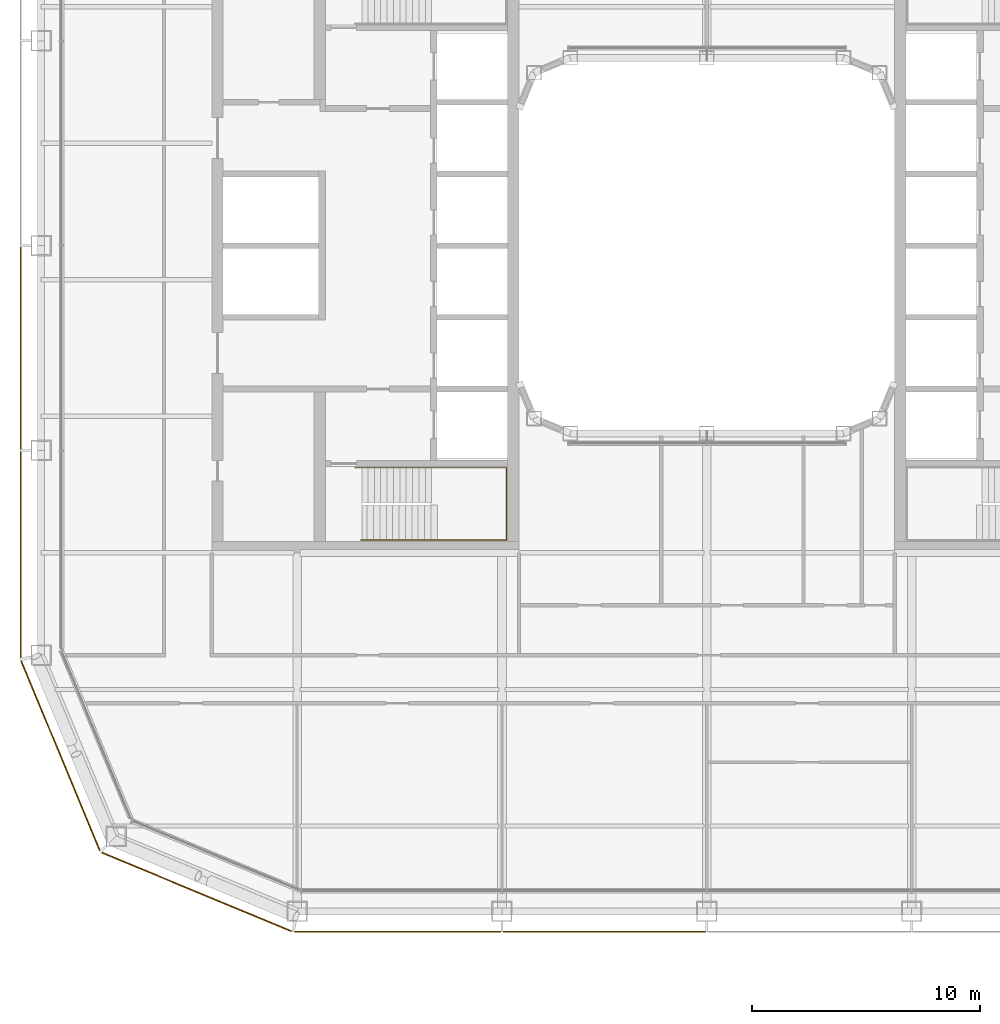
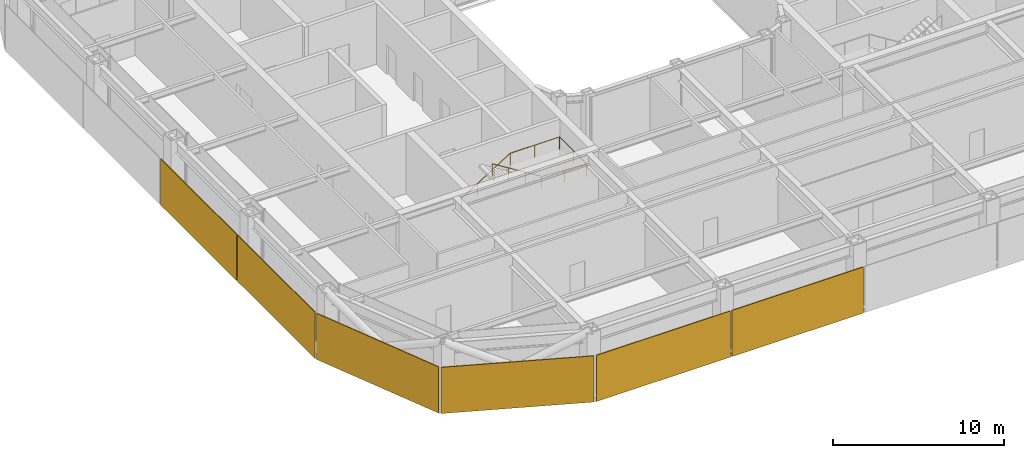
# One storey, part 18 of 23: 6 coverings, 1 railing.
"""IFC4 building model written with IfcOpenShell, lengths in metres."""

from ifc_helpers import new_model, si_unit, direction, frame, origin, origin_2d, place, context, subcontext, project, spatial, rectangle, circle, extrude, material, layer, layer_set, type_object, element, save


model = new_model("IFC4")

# Units and contexts
model_context = context("Model", 3, precision=1e-05, world=origin(), true_north=direction((0.0, 1.0)))
body_context = subcontext(model_context, "Body", "Model", "MODEL_VIEW")
ifc_project = project(units=[si_unit("LENGTHUNIT", "METRE"), si_unit("AREAUNIT", "SQUARE_METRE"), si_unit("VOLUMEUNIT", "CUBIC_METRE"), si_unit("PLANEANGLEUNIT", "RADIAN"), si_unit("MASSUNIT", "GRAM", prefix="KILO")], contexts=[model_context])

# Site, building, storey
site_placement = place(None, origin())
site = spatial("IfcSite", under=ifc_project, at=site_placement, CompositionType="ELEMENT")
building_placement = place(site_placement, origin())
building = spatial("IfcBuilding", under=site, at=building_placement, Name="Siwar Civic Tower", CompositionType="ELEMENT")
storey_placement = place(building_placement, frame((0.0, 0.0, 163.199951171875)))
storey = spatial("IfcBuildingStorey", under=building, at=storey_placement, Name="L35", CompositionType="ELEMENT", Elevation=163.199951171875)

# Railing
ifc_material_1 = material(Name="Stainless steel", Category="steel")
railing_type = type_object("IfcRailingType", Name="CORE-STAIR-HANDRAIL", PredefinedType="HANDRAIL", material=ifc_material_1)
railing_placement = place(storey_placement, frame((-15.449951171875, -9.758056640625, 0.173095703125)))
element("IfcRailing", 1, at=railing_placement, inside=storey, type_object=railing_type, Name="Stair handrail ST2", PredefinedType="HANDRAIL", context=body_context, shape_type="SweptSolid", body=[
    extrude(circle(Radius=0.02001953125, at=origin_2d()), frame((0.0, 0.0, 0.8798828125), z_axis=(0.847063342986, 0.0, 0.531491950051), x_axis=(0.0, 1.0, 0.0)), (0.0, 0.0, 1.0), 3.90771484375),
    extrude(circle(Radius=0.02001953125, at=origin_2d()), frame((3.31005859375, 0.0, 2.956787109375), z_axis=(1.0, 0.0, 0.0), x_axis=(0.0, 1.0, 0.0)), (0.0, 0.0, 1.0), 3.331787109375),
    extrude(circle(Radius=0.02001953125, at=origin_2d()), frame((6.641845703125, 0.0, 2.956787109375), z_axis=(0.0, -1.0, 0.0), x_axis=(1.0, 0.0, 0.0)), (0.0, 0.0, 1.0), 3.183837890625),
    extrude(circle(Radius=0.02001953125, at=origin_2d()), frame((6.641845703125, -3.183837890625, 2.956787109375), z_axis=(-0.99837434197, 0.0, 0.056997134106), x_axis=(0.0, -1.0, 0.0)), (0.0, 0.0, 1.0), 3.036865234375),
    extrude(circle(Radius=0.02001953125, at=origin_2d()), frame((3.60986328125, -3.183837890625, 3.1298828125), z_axis=(-0.850606129759, 0.0, 0.525803396734), x_axis=(0.0, -1.0, 0.0)), (0.0, 0.0, 1.0), 3.949951171875),
    extrude(circle(Radius=0.02001953125, at=origin_2d()), origin(), (0.0, 0.0, 1.0), 0.85986328125),
    extrude(circle(Radius=0.02001953125, at=origin_2d()), frame((1.103271484375, 0.0, 0.6923828125)), (0.0, 0.0, 1.0), 0.85986328125),
    extrude(circle(Radius=0.02001953125, at=origin_2d()), frame((2.206787109375, 0.0, 1.384521484375)), (0.0, 0.0, 1.0), 0.85986328125),
    extrude(circle(Radius=0.02001953125, at=origin_2d()), frame((3.31005859375, 0.0, 2.076904296875)), (0.0, 0.0, 1.0), 0.85986328125),
    extrude(circle(Radius=0.02001953125, at=origin_2d()), frame((4.97607421875, 0.0, 2.076904296875)), (0.0, 0.0, 1.0), 0.85986328125),
    extrude(circle(Radius=0.02001953125, at=origin_2d()), frame((6.641845703125, 0.0, 2.076904296875)), (0.0, 0.0, 1.0), 0.85986328125),
    extrude(circle(Radius=0.02001953125, at=origin_2d()), frame((6.641845703125, -1.591796875, 2.076904296875)), (0.0, 0.0, 1.0), 0.85986328125),
    extrude(circle(Radius=0.02001953125, at=origin_2d()), frame((6.641845703125, -3.183837890625, 2.076904296875)), (0.0, 0.0, 1.0), 0.85986328125),
    extrude(circle(Radius=0.02001953125, at=origin_2d()), frame((5.1259765625, -3.183837890625, 2.16357421875)), (0.0, 0.0, 1.0), 0.85986328125),
    extrude(circle(Radius=0.02001953125, at=origin_2d()), frame((3.60986328125, -3.183837890625, 2.25)), (0.0, 0.0, 1.0), 0.85986328125),
    extrude(circle(Radius=0.02001953125, at=origin_2d()), frame((2.489990234375, -3.183837890625, 2.9423828125)), (0.0, 0.0, 1.0), 0.85986328125),
    extrude(circle(Radius=0.02001953125, at=origin_2d()), frame((1.369873046875, -3.183837890625, 3.634521484375)), (0.0, 0.0, 1.0), 0.85986328125),
    extrude(circle(Radius=0.02001953125, at=origin_2d()), frame((0.25, -3.183837890625, 4.326904296875)), (0.0, 0.0, 1.0), 0.85986328125),
])

# Coverings
ifc_material_2 = material(Name="Perforated aluminium cassette, pale metal", Category="aluminium")
ifc_layer_1 = layer(ifc_material_2, 0.050048828125)
ifc_layer_set_1 = layer_set([ifc_layer_1], Name="Perforated aluminium cassette, pale metal")
covering_type_1 = type_object("IfcCoveringType", Name="ENV-OUTER SKIN OS-3", PredefinedType="CLADDING", material=ifc_layer_set_1)
covering_1_placement = place(storey_placement, frame((-30.14990234375, -4.5, -0.14990234375), z_axis=(0.0, 0.0, 1.0), x_axis=(0.0, -1.0, 0.0)))
element("IfcCovering", 2, at=covering_1_placement, inside=storey, type_object=covering_type_1, Name="OUTER SKIN OS-3 W 3", PredefinedType="CLADDING", context=body_context, shape_type="SweptSolid", body=[
    extrude(rectangle(XDim=8.89990234375, YDim=0.050048828125, at=origin_2d()), origin(), (0.0, 0.0, 1.0), 3.300048828125),
])
covering_2_placement = place(storey_placement, frame((-30.14990234375, -13.57958984375, -0.14990234375), z_axis=(0.0, 0.0, 1.0), x_axis=(0.0, -1.0, 0.0)))
element("IfcCovering", 3, at=covering_2_placement, inside=storey, type_object=covering_type_1, Name="OUTER SKIN OS-3 W 4", PredefinedType="CLADDING", context=body_context, shape_type="SweptSolid", body=[
    extrude(rectangle(XDim=9.05908203125, YDim=0.050048828125, at=origin_2d()), origin(), (0.0, 0.0, 1.0), 3.300048828125),
])
ifc_material_3 = material(Name="Perforated aluminium cassette, pale metal", Category="aluminium")
ifc_layer_2 = layer(ifc_material_3, 0.054931640625)
ifc_layer_set_2 = layer_set([ifc_layer_2], Name="Perforated aluminium cassette, pale metal")
covering_type_2 = type_object("IfcCoveringType", Name="ENV-OUTER SKIN OS-4", PredefinedType="CLADDING", material=ifc_layer_set_2)
covering_3_placement = place(storey_placement, frame((-13.57958984375, -30.14990234375, -0.14990234375), z_axis=(0.0, 0.0, 1.0), x_axis=(1.0, 0.0, 0.0)))
element("IfcCovering", 4, at=covering_3_placement, inside=storey, type_object=covering_type_2, Name="OUTER SKIN OS-4 S 1", PredefinedType="CLADDING", context=body_context, shape_type="SweptSolid", body=[
    extrude(rectangle(XDim=9.05908203125, YDim=0.054931640625, at=origin_2d()), origin(), (0.0, 0.0, 1.0), 3.300048828125),
])
covering_4_placement = place(storey_placement, frame((-4.5, -30.14990234375, -0.14990234375), z_axis=(0.0, 0.0, 1.0), x_axis=(1.0, 0.0, 0.0)))
element("IfcCovering", 5, at=covering_4_placement, inside=storey, type_object=covering_type_2, Name="OUTER SKIN OS-4 S 2", PredefinedType="CLADDING", context=body_context, shape_type="SweptSolid", body=[
    extrude(rectangle(XDim=8.89990234375, YDim=0.054931640625, at=origin_2d()), origin(), (0.0, 0.0, 1.0), 3.300048828125),
])
for number, where, z_axis, x_axis, name in (
    (6, (-28.39697265625, -22.411376953125, -0.14990234375), (0.0, 0.0, 1.0), (0.382683432365, -0.923879532511, 0.0), "OUTER SKIN OS-4 SW1 1"),
    (7, (-22.411376953125, -28.39697265625, -0.14990234375), (0.0, 0.0, 1.0), (0.923879532511, -0.382683432365, 0.0), "OUTER SKIN OS-4 SW2 1"),
):
    element("IfcCovering", number, at=place(storey_placement, frame(where, z_axis=z_axis, x_axis=x_axis)), inside=storey, type_object=covering_type_2, Name=name, PredefinedType="CLADDING", context=body_context, shape_type="SweptSolid", body=[
        extrude(rectangle(XDim=9.022216796875, YDim=0.054931640625, at=origin_2d()), origin(), (0.0, 0.0, 1.0), 3.300048828125),
    ])

save(model, "model.ifc")
